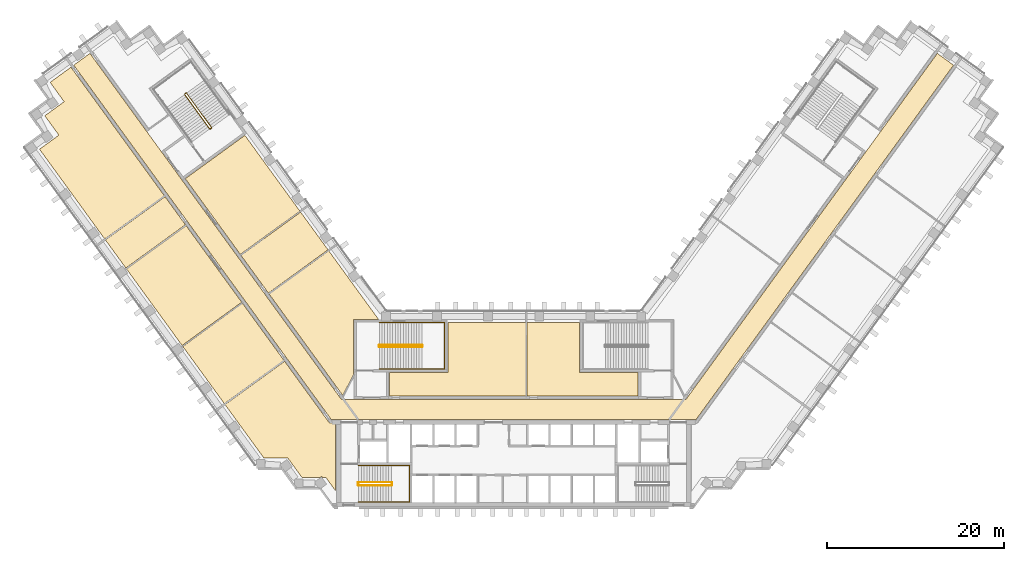
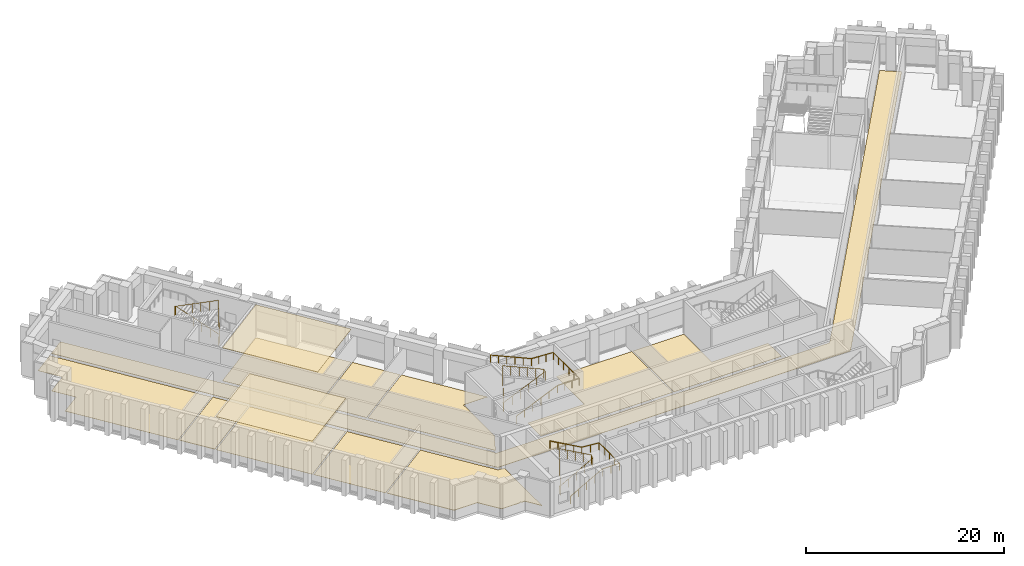
# One storey, part 13 of 15: 13 coverings, 5 railings.
"""IFC4 building model written with IfcOpenShell, lengths in metres."""

from ifc_helpers import new_model, si_unit, direction, frame, origin, origin_2d, place, context, subcontext, project, spatial, polyline, circle, outline, extrude, material, layer, layer_set, type_object, element, save


model = new_model("IFC4")

# Units and contexts
model_context = context("Model", 3, precision=1e-05, world=origin(), true_north=direction((0.0, 1.0)))
body_context = subcontext(model_context, "Body", "Model", "MODEL_VIEW")
ifc_project = project(units=[si_unit("LENGTHUNIT", "METRE"), si_unit("AREAUNIT", "SQUARE_METRE"), si_unit("VOLUMEUNIT", "CUBIC_METRE"), si_unit("PLANEANGLEUNIT", "RADIAN"), si_unit("MASSUNIT", "GRAM", prefix="KILO")], contexts=[model_context])

# Site, building, storey
site_placement = place(None, origin())
site = spatial("IfcSite", under=ifc_project, at=site_placement, CompositionType="ELEMENT")
building_placement = place(site_placement, origin())
building = spatial("IfcBuilding", under=site, at=building_placement, Name="Quipu Civic Tower", CompositionType="ELEMENT")
storey_placement = place(building_placement, frame((0.0, 0.0, 11.5)))
storey = spatial("IfcBuildingStorey", under=building, at=storey_placement, Name="L02", CompositionType="ELEMENT", Elevation=11.5)

# Coverings
ifc_material_1 = material(Name="Mineral fibre acoustic ceiling tile")
ifc_layer_1 = layer(ifc_material_1, 0.0400390625)
ifc_layer_set_1 = layer_set([ifc_layer_1], Name="Mineral fibre acoustic ceiling tile")
covering_type_1 = type_object("IfcCoveringType", Name="Acoustic ceiling tile 600 x 600", PredefinedType="CEILING", material=ifc_layer_set_1)
covering_1_placement = place(storey_placement, frame((0.0, 0.0, 4.06005859375)))
element("IfcCovering", 1, at=covering_1_placement, inside=storey, type_object=covering_type_1, Name="Acoustic ceiling tile 600 x 600", PredefinedType="CEILING", context=body_context, shape_type="SweptSolid", body=[
    extrude(outline(polyline([(-37.0380859375, 26.0380859375), (-30.31494140625, 30.922119140625), (-24.112060546875, 22.382080078125), (-30.8349609375, 17.4990234375), (-37.0380859375, 26.0380859375)])), origin(), (0.0, 0.0, 1.0), 0.0400390625),
])
covering_2_placement = place(storey_placement, frame((0.0, 0.0, 4.06005859375)))
element("IfcCovering", 2, at=covering_2_placement, inside=storey, type_object=covering_type_1, Name="Acoustic ceiling tile 600 x 600", PredefinedType="CEILING", context=body_context, shape_type="SweptSolid", body=[
    extrude(outline(polyline([(-43.660888671875, 15.843994140625), (-36.93798828125, 20.72802734375), (-30.673095703125, 12.10302734375), (-37.39599609375, 7.218994140625), (-43.660888671875, 15.843994140625)])), origin(), (0.0, 0.0, 1.0), 0.0400390625),
])
ifc_material_2 = material(Name="Carpet tile on raised access floor")
ifc_layer_2 = layer(ifc_material_2, 0.02001953125)
ifc_layer_set_2 = layer_set([ifc_layer_2], Name="Carpet tile on raised access floor")
covering_type_2 = type_object("IfcCoveringType", Name="Carpet tile floor finish 20", PredefinedType="FLOORING", material=ifc_layer_set_2)
covering_3_placement = place(storey_placement, origin())
element("IfcCovering", 3, at=covering_3_placement, inside=storey, type_object=covering_type_2, Name="Carpet tile floor finish 20", PredefinedType="FLOORING", context=body_context, shape_type="SweptSolid", body=[
    extrude(outline(polyline([(-53.47998046875, 29.35791015625), (-51.297119140625, 30.945068359375), (-52.883056640625, 33.12890625), (-50.698974609375, 34.717041015625), (-52.284912109375, 36.90087890625), (-49.930908203125, 38.611083984375), (-39.40087890625, 24.116943359375), (-46.125, 19.23291015625), (-53.47998046875, 29.35791015625)])), origin(), (0.0, 0.0, 1.0), 0.02001953125),
])
covering_4_placement = place(storey_placement, origin())
element("IfcCovering", 4, at=covering_4_placement, inside=storey, type_object=covering_type_2, Name="Carpet tile floor finish 20", PredefinedType="FLOORING", context=body_context, shape_type="SweptSolid", body=[
    extrude(outline(polyline([(-37.31298828125, 7.10595703125), (-30.590087890625, 11.989990234375), (-25.912109375, 5.550048828125), (-32.635009765625, 0.666015625), (-37.31298828125, 7.10595703125)])), origin(), (0.0, 0.0, 1.0), 0.02001953125),
])
covering_5_placement = place(storey_placement, origin())
element("IfcCovering", 5, at=covering_5_placement, inside=storey, type_object=covering_type_2, Name="Carpet tile floor finish 20", PredefinedType="FLOORING", context=body_context, shape_type="SweptSolid", body=[
    extrude(outline(polyline([(-37.0380859375, 26.0380859375), (-30.31494140625, 30.922119140625), (-24.112060546875, 22.382080078125), (-30.8349609375, 17.4990234375), (-37.0380859375, 26.0380859375)])), origin(), (0.0, 0.0, 1.0), 0.02001953125),
])
covering_6_placement = place(storey_placement, origin())
element("IfcCovering", 6, at=covering_6_placement, inside=storey, type_object=covering_type_2, Name="Carpet tile floor finish 20", PredefinedType="FLOORING", context=body_context, shape_type="SweptSolid", body=[
    extrude(outline(polyline([(-43.660888671875, 15.843994140625), (-36.93798828125, 20.72802734375), (-30.673095703125, 12.10302734375), (-37.39599609375, 7.218994140625), (-43.660888671875, 15.843994140625)])), origin(), (0.0, 0.0, 1.0), 0.02001953125),
])
covering_7_placement = place(storey_placement, origin())
element("IfcCovering", 7, at=covering_7_placement, inside=storey, type_object=covering_type_2, Name="Carpet tile floor finish 20", PredefinedType="FLOORING", context=body_context, shape_type="SweptSolid", body=[
    extrude(outline(polyline([(-14.030029296875, 1.52001953125), (-14.030029296875, 4.179931640625), (-7.429931640625, 4.180908203125), (-7.429931640625, 9.830078125), (1.368896484375, 9.830078125), (1.368896484375, 1.52001953125), (-14.030029296875, 1.52001953125)])), origin(), (0.0, 0.0, 1.0), 0.02001953125),
])
covering_8_placement = place(storey_placement, origin())
element("IfcCovering", 8, at=covering_8_placement, inside=storey, type_object=covering_type_2, Name="Carpet tile floor finish 20", PredefinedType="FLOORING", context=body_context, shape_type="SweptSolid", body=[
    extrude(outline(polyline([(-27.577880859375, 13.01708984375), (-20.85498046875, 17.90087890625), (-15.238037109375, 10.169921875), (-18.070068359375, 10.1689453125), (-18.070068359375, 3.94189453125), (-19.27197265625, 1.583984375), (-27.577880859375, 13.01708984375)])), origin(), (0.0, 0.0, 1.0), 0.02001953125),
])
covering_9_placement = place(storey_placement, origin())
element("IfcCovering", 9, at=covering_9_placement, inside=storey, type_object=covering_type_2, Name="Carpet tile floor finish 20", PredefinedType="FLOORING", context=body_context, shape_type="SweptSolid", body=[
    extrude(outline(polyline([(-30.751953125, 17.385986328125), (-24.029052734375, 22.26904296875), (-20.93798828125, 18.013916015625), (-27.660888671875, 13.1298828125), (-30.751953125, 17.385986328125)])), origin(), (0.0, 0.0, 1.0), 0.02001953125),
])
ifc_material_3 = material(Name="Ceramic floor tile")
ifc_layer_3 = layer(ifc_material_3, 0.030029296875)
ifc_layer_set_3 = layer_set([ifc_layer_3], Name="Ceramic floor tile")
covering_type_3 = type_object("IfcCoveringType", Name="Ceramic tile floor finish 30", PredefinedType="FLOORING", material=ifc_layer_set_3)
covering_10_placement = place(storey_placement, origin())
element("IfcCovering", 10, at=covering_10_placement, inside=storey, type_object=covering_type_3, Name="Ceramic tile floor finish 30", PredefinedType="FLOORING", context=body_context, shape_type="SweptSolid", body=[
    extrude(outline(polyline([(1.510009765625, 1.52001953125), (1.510009765625, 9.830078125), (7.429931640625, 9.830078125), (7.430908203125, 4.179931640625), (14.030029296875, 4.179931640625), (14.030029296875, 1.52001953125), (1.510009765625, 1.52001953125)])), origin(), (0.0, 0.0, 1.0), 0.030029296875),
])
ifc_material_4 = material(Name="Sealed cement screed")
ifc_layer_4 = layer(ifc_material_4, 0.050048828125)
ifc_layer_set_4 = layer_set([ifc_layer_4], Name="Sealed cement screed")
covering_type_4 = type_object("IfcCoveringType", Name="Sealed screed floor finish 50", PredefinedType="FLOORING", material=ifc_layer_set_4)
covering_11_placement = place(storey_placement, origin())
element("IfcCovering", 11, at=covering_11_placement, inside=storey, type_object=covering_type_4, Name="Sealed screed floor finish 50", PredefinedType="FLOORING", context=body_context, shape_type="SweptSolid", body=[
    extrude(outline(polyline([(-46.0419921875, 19.1201171875), (-39.318115234375, 24.00390625), (-37.02099609375, 20.841064453125), (-43.743896484375, 15.95703125), (-46.0419921875, 19.1201171875)])), origin(), (0.0, 0.0, 1.0), 0.050048828125),
])
covering_12_placement = place(storey_placement, origin())
element("IfcCovering", 12, at=covering_12_placement, inside=storey, type_object=covering_type_4, Name="Sealed screed floor finish 50", PredefinedType="FLOORING", context=body_context, shape_type="SweptSolid", body=[
    extrude(outline(polyline([(-32.552001953125, 0.552978515625), (-25.8291015625, 5.43701171875), (-20.77490234375, -1.51904296875), (-20.070068359375, -1.52001953125), (-20.070068359375, -9.195068359375), (-21.196044921875, -7.64599609375), (-21.597900390625, -7.64599609375), (-21.64111328125, -7.5869140625), (-21.64404296875, -7.5830078125), (-21.64697265625, -7.580078125), (-21.65087890625, -7.576904296875), (-21.655029296875, -7.573974609375), (-21.658935546875, -7.572021484375), (-21.6640625, -7.570068359375), (-21.6689453125, -7.568115234375), (-21.673095703125, -7.56689453125), (-21.677978515625, -7.56689453125), (-21.68310546875, -7.56689453125), (-21.68798828125, -7.56689453125), (-21.693115234375, -7.568115234375), (-21.697998046875, -7.569091796875), (-21.701904296875, -7.571044921875), (-21.7060546875, -7.572998046875), (-21.7109375, -7.575927734375), (-21.806884765625, -7.64599609375), (-23.89501953125, -7.64599609375), (-25.48193359375, -5.4619140625), (-28.181884765625, -5.4609375), (-32.552001953125, 0.552978515625)])), origin(), (0.0, 0.0, 1.0), 0.050048828125),
])

# Railings
ifc_material_5 = material(Name="Stainless steel", Category="steel")
railing_type_1 = type_object("IfcRailingType", Name="Stair guard 1100", PredefinedType="GUARDRAIL", material=ifc_material_5)
railing_1_placement = place(storey_placement, frame((-17.5, -8.550048828125, 0.173095703125)))
element("IfcRailing", 13, at=railing_1_placement, inside=storey, type_object=railing_type_1, Name="Stair 1 guard", PredefinedType="GUARDRAIL", context=body_context, shape_type="SweptSolid", body=[
    extrude(circle(Radius=0.02392578125, at=origin_2d()), frame((0.0, 0.0, 1.076171875), z_axis=(0.873133609054, 0.0, 0.487480974747), x_axis=(0.0, 1.0, 0.0)), (0.0, 0.0, 1.0), 4.260498046875),
    extrude(circle(Radius=0.02392578125, at=origin_2d()), frame((3.719970703125, 0.0, 3.15283203125), z_axis=(0.707106781187, 0.707106781187, 0.0), x_axis=(-0.707106781187, 0.707106781187, 0.0)), (0.0, 0.0, 1.0), 0.07080078125),
    extrude(circle(Radius=0.02392578125, at=origin_2d()), frame((3.77001953125, 0.050048828125, 3.15283203125), z_axis=(0.0, 1.0, 0.0), x_axis=(-1.0, 0.0, 0.0)), (0.0, 0.0, 1.0), 0.25),
    extrude(circle(Radius=0.02392578125, at=origin_2d()), frame((3.77001953125, 0.300048828125, 3.15283203125), z_axis=(-0.267629722418, 0.267629722418, 0.925607186314), x_axis=(-0.707106781187, -0.707106781187, 0.0)), (0.0, 0.0, 1.0), 0.18701171875),
    extrude(circle(Radius=0.02392578125, at=origin_2d()), frame((3.719970703125, 0.35009765625, 3.326171875), z_axis=(-0.873133609054, 0.0, 0.487480974747), x_axis=(0.0, -1.0, 0.0)), (0.0, 0.0, 1.0), 4.260498046875),
    extrude(circle(Radius=0.02392578125, at=origin_2d()), frame((0.0, 0.35009765625, 5.40283203125), z_axis=(-0.011096637166, -0.066525693058, -0.997723006053), x_axis=(0.986372223864, -0.164529134168, 0.0)), (0.0, 0.0, 1.0), 4.51025390625),
    extrude(circle(Radius=0.02392578125, at=origin_2d()), frame((-0.050048828125, 0.050048828125, 0.90283203125), z_axis=(0.0, 1.0, 0.0), x_axis=(-1.0, 0.0, 0.0)), (0.0, 0.0, 1.0), 0.25),
    extrude(circle(Radius=0.02099609375, at=origin_2d()), origin(), (0.0, 0.0, 1.0), 1.052001953125),
    extrude(circle(Radius=0.02099609375, at=origin_2d()), frame((0.929931640625, 0.0, 0.519287109375)), (0.0, 0.0, 1.0), 1.052001953125),
    extrude(circle(Radius=0.02099609375, at=origin_2d()), frame((1.85986328125, 0.0, 1.03857421875)), (0.0, 0.0, 1.0), 1.052001953125),
    extrude(circle(Radius=0.02099609375, at=origin_2d()), frame((2.7900390625, 0.0, 1.5576171875)), (0.0, 0.0, 1.0), 1.052001953125),
    extrude(circle(Radius=0.02099609375, at=origin_2d()), frame((3.719970703125, 0.0, 2.076904296875)), (0.0, 0.0, 1.0), 1.052001953125),
    extrude(circle(Radius=0.02099609375, at=origin_2d()), frame((3.77001953125, 0.050048828125, 2.076904296875)), (0.0, 0.0, 1.0), 1.052001953125),
    extrude(circle(Radius=0.02099609375, at=origin_2d()), frame((3.77001953125, 0.300048828125, 2.076904296875)), (0.0, 0.0, 1.0), 1.052001953125),
    extrude(circle(Radius=0.02099609375, at=origin_2d()), frame((3.719970703125, 0.35009765625, 2.25)), (0.0, 0.0, 1.0), 1.052001953125),
    extrude(circle(Radius=0.02099609375, at=origin_2d()), frame((2.7900390625, 0.35009765625, 2.769287109375)), (0.0, 0.0, 1.0), 1.052001953125),
    extrude(circle(Radius=0.02099609375, at=origin_2d()), frame((1.85986328125, 0.35009765625, 3.28857421875)), (0.0, 0.0, 1.0), 1.052001953125),
    extrude(circle(Radius=0.02099609375, at=origin_2d()), frame((0.929931640625, 0.35009765625, 3.8076171875)), (0.0, 0.0, 1.0), 1.052001953125),
    extrude(circle(Radius=0.02099609375, at=origin_2d()), frame((0.0, 0.35009765625, 4.326904296875)), (0.0, 0.0, 1.0), 1.052001953125),
    extrude(circle(Radius=0.02099609375, at=origin_2d()), frame((-0.012451171875, 0.275146484375, 3.201904296875)), (0.0, 0.0, 1.0), 1.052001953125),
    extrude(circle(Radius=0.02099609375, at=origin_2d()), frame((-0.02490234375, 0.2001953125, 2.076904296875)), (0.0, 0.0, 1.0), 1.052001953125),
    extrude(circle(Radius=0.02099609375, at=origin_2d()), frame((-0.03759765625, 0.125, 0.951904296875)), (0.0, 0.0, 1.0), 1.052001953125),
    extrude(circle(Radius=0.02099609375, at=origin_2d()), frame((-0.050048828125, 0.050048828125, -0.173095703125)), (0.0, 0.0, 1.0), 1.052001953125),
    extrude(circle(Radius=0.02099609375, at=origin_2d()), frame((-0.050048828125, 0.300048828125, -0.173095703125)), (0.0, 0.0, 1.0), 1.052001953125),
])
railing_2_placement = place(storey_placement, frame((-15.14990234375, 7.050048828125, 0.13232421875)))
element("IfcRailing", 14, at=railing_2_placement, inside=storey, type_object=railing_type_1, Name="Stair 3 guard", PredefinedType="GUARDRAIL", context=body_context, shape_type="SweptSolid", body=[
    extrude(circle(Radius=0.02392578125, at=origin_2d()), frame((0.0, 0.0, 1.076171875), z_axis=(0.914909713927, 0.0, 0.403658538077), x_axis=(0.0, 1.0, 0.0)), (0.0, 0.0, 1.0), 5.24609375),
    extrude(circle(Radius=0.02392578125, at=origin_2d()), frame((4.7998046875, 0.0, 3.19384765625), z_axis=(0.707106781187, 0.707106781187, 0.0), x_axis=(-0.707106781187, 0.707106781187, 0.0)), (0.0, 0.0, 1.0), 0.07080078125),
    extrude(circle(Radius=0.02392578125, at=origin_2d()), frame((4.849853515625, 0.050048828125, 3.19384765625), z_axis=(0.0, 1.0, 0.0), x_axis=(-1.0, 0.0, 0.0)), (0.0, 0.0, 1.0), 0.14990234375),
    extrude(circle(Radius=0.02392578125, at=origin_2d()), frame((4.849853515625, 0.199951171875, 3.19384765625), z_axis=(-0.333514590198, 0.333514590198, 0.881780038474), x_axis=(-0.707106781187, -0.707106781187, 0.0)), (0.0, 0.0, 1.0), 0.150146484375),
    extrude(circle(Radius=0.02392578125, at=origin_2d()), frame((4.7998046875, 0.25, 3.326171875), z_axis=(-0.914909713927, 0.0, 0.403658538077), x_axis=(0.0, -1.0, 0.0)), (0.0, 0.0, 1.0), 5.24609375),
    extrude(circle(Radius=0.02392578125, at=origin_2d()), frame((0.0, 0.25, 5.44384765625), z_axis=(-0.011110312959, -0.044387055188, -0.998952626643), x_axis=(0.970072785993, -0.242814311512, 0.0)), (0.0, 0.0, 1.0), 4.504638671875),
    extrude(circle(Radius=0.02392578125, at=origin_2d()), frame((-0.050048828125, 0.050048828125, 0.94384765625), z_axis=(0.0, 1.0, 0.0), x_axis=(-1.0, 0.0, 0.0)), (0.0, 0.0, 1.0), 0.14990234375),
    extrude(circle(Radius=0.02099609375, at=origin_2d()), origin(), (0.0, 0.0, 1.0), 1.052001953125),
    extrude(circle(Radius=0.02099609375, at=origin_2d()), frame((0.9599609375, 0.0, 0.423583984375)), (0.0, 0.0, 1.0), 1.052001953125),
    extrude(circle(Radius=0.02099609375, at=origin_2d()), frame((1.919921875, 0.0, 0.84716796875)), (0.0, 0.0, 1.0), 1.052001953125),
    extrude(circle(Radius=0.02099609375, at=origin_2d()), frame((2.8798828125, 0.0, 1.2705078125)), (0.0, 0.0, 1.0), 1.052001953125),
    extrude(circle(Radius=0.02099609375, at=origin_2d()), frame((3.83984375, 0.0, 1.694091796875)), (0.0, 0.0, 1.0), 1.052001953125),
    extrude(circle(Radius=0.02099609375, at=origin_2d()), frame((4.7998046875, 0.0, 2.11767578125)), (0.0, 0.0, 1.0), 1.052001953125),
    extrude(circle(Radius=0.02099609375, at=origin_2d()), frame((4.849853515625, 0.050048828125, 2.11767578125)), (0.0, 0.0, 1.0), 1.052001953125),
    extrude(circle(Radius=0.02099609375, at=origin_2d()), frame((4.849853515625, 0.199951171875, 2.11767578125)), (0.0, 0.0, 1.0), 1.052001953125),
    extrude(circle(Radius=0.02099609375, at=origin_2d()), frame((4.7998046875, 0.25, 2.25)), (0.0, 0.0, 1.0), 1.052001953125),
    extrude(circle(Radius=0.02099609375, at=origin_2d()), frame((3.83984375, 0.25, 2.673583984375)), (0.0, 0.0, 1.0), 1.052001953125),
    extrude(circle(Radius=0.02099609375, at=origin_2d()), frame((2.8798828125, 0.25, 3.09716796875)), (0.0, 0.0, 1.0), 1.052001953125),
    extrude(circle(Radius=0.02099609375, at=origin_2d()), frame((1.919921875, 0.25, 3.5205078125)), (0.0, 0.0, 1.0), 1.052001953125),
    extrude(circle(Radius=0.02099609375, at=origin_2d()), frame((0.9599609375, 0.25, 3.944091796875)), (0.0, 0.0, 1.0), 1.052001953125),
    extrude(circle(Radius=0.02099609375, at=origin_2d()), frame((0.0, 0.25, 4.36767578125)), (0.0, 0.0, 1.0), 1.052001953125),
    extrude(circle(Radius=0.02099609375, at=origin_2d()), frame((-0.012451171875, 0.199951171875, 3.24267578125)), (0.0, 0.0, 1.0), 1.052001953125),
    extrude(circle(Radius=0.02099609375, at=origin_2d()), frame((-0.02490234375, 0.14990234375, 2.11767578125)), (0.0, 0.0, 1.0), 1.052001953125),
    extrude(circle(Radius=0.02099609375, at=origin_2d()), frame((-0.03759765625, 0.10009765625, 0.99267578125)), (0.0, 0.0, 1.0), 1.052001953125),
    extrude(circle(Radius=0.02099609375, at=origin_2d()), frame((-0.050048828125, 0.050048828125, -0.13232421875)), (0.0, 0.0, 1.0), 1.052001953125),
    extrude(circle(Radius=0.02099609375, at=origin_2d()), frame((-0.050048828125, 0.199951171875, -0.13232421875)), (0.0, 0.0, 1.0), 1.052001953125),
])
railing_3_placement = place(storey_placement, frame((-34.078857421875, 31.79736328125, 0.13232421875)))
element("IfcRailing", 15, at=railing_3_placement, inside=storey, type_object=railing_type_1, Name="Stair 6 guard", PredefinedType="GUARDRAIL", context=body_context, shape_type="SweptSolid", body=[
    extrude(circle(Radius=0.02392578125, at=origin_2d()), frame((0.0, 0.0, 1.076171875), z_axis=(-0.537761686143, 0.740190150552, 0.403647011561), x_axis=(-0.809026317077, -0.587772420479, 0.0)), (0.0, 0.0, 1.0), 5.246337890625),
    extrude(circle(Radius=0.02392578125, at=origin_2d()), frame((-2.8212890625, 3.88330078125, 3.19384765625), z_axis=(-0.987846838465, 0.155430446612, 0.0), x_axis=(-0.155430446612, -0.987846838465, 0.0)), (0.0, 0.0, 1.0), 0.07080078125),
    extrude(circle(Radius=0.02392578125, at=origin_2d()), frame((-2.89111328125, 3.894287109375, 3.19384765625), z_axis=(-0.809649071907, -0.586914287065, 0.0), x_axis=(0.586914287065, -0.809649071907, 0.0)), (0.0, 0.0, 1.0), 0.150146484375),
    extrude(circle(Radius=0.02392578125, at=origin_2d()), frame((-3.0126953125, 3.80615234375, 3.19384765625), z_axis=(-0.07323271701, -0.465434601444, 0.882047391549), x_axis=(0.987846838465, -0.155430446612, 0.0)), (0.0, 0.0, 1.0), 0.14990234375),
    extrude(circle(Radius=0.02392578125, at=origin_2d()), frame((-3.023681640625, 3.736328125, 3.326171875), z_axis=(0.537761686143, -0.740190150552, 0.403647011561), x_axis=(0.809026317077, 0.587772420479, 0.0)), (0.0, 0.0, 1.0), 5.246337890625),
    extrude(circle(Radius=0.02392578125, at=origin_2d()), frame((-0.202392578125, -0.14697265625, 5.44384765625), z_axis=(0.042490064781, 0.017126097539, -0.998950094438), x_axis=(-0.373837031195, 0.92749440651, 0.0)), (0.0, 0.0, 1.0), 4.504638671875),
    extrude(circle(Radius=0.02392578125, at=origin_2d()), frame((-0.010986328125, -0.06982421875, 0.94384765625), z_axis=(-0.809087927272, -0.587687609145, 0.0), x_axis=(0.587687609145, -0.809087927272, 0.0)), (0.0, 0.0, 1.0), 0.14990234375),
    extrude(circle(Radius=0.02099609375, at=origin_2d()), origin(), (0.0, 0.0, 1.0), 1.052001953125),
    extrude(circle(Radius=0.02099609375, at=origin_2d()), frame((-0.564208984375, 0.776611328125, 0.423583984375)), (0.0, 0.0, 1.0), 1.052001953125),
    extrude(circle(Radius=0.02099609375, at=origin_2d()), frame((-1.12841796875, 1.55322265625, 0.84716796875)), (0.0, 0.0, 1.0), 1.052001953125),
    extrude(circle(Radius=0.02099609375, at=origin_2d()), frame((-1.69287109375, 2.330078125, 1.2705078125)), (0.0, 0.0, 1.0), 1.052001953125),
    extrude(circle(Radius=0.02099609375, at=origin_2d()), frame((-2.257080078125, 3.106689453125, 1.694091796875)), (0.0, 0.0, 1.0), 1.052001953125),
    extrude(circle(Radius=0.02099609375, at=origin_2d()), frame((-2.8212890625, 3.88330078125, 2.11767578125)), (0.0, 0.0, 1.0), 1.052001953125),
    extrude(circle(Radius=0.02099609375, at=origin_2d()), frame((-2.89111328125, 3.894287109375, 2.11767578125)), (0.0, 0.0, 1.0), 1.052001953125),
    extrude(circle(Radius=0.02099609375, at=origin_2d()), frame((-3.0126953125, 3.80615234375, 2.11767578125)), (0.0, 0.0, 1.0), 1.052001953125),
    extrude(circle(Radius=0.02099609375, at=origin_2d()), frame((-3.023681640625, 3.736328125, 2.25)), (0.0, 0.0, 1.0), 1.052001953125),
    extrude(circle(Radius=0.02099609375, at=origin_2d()), frame((-2.45947265625, 2.959716796875, 2.673583984375)), (0.0, 0.0, 1.0), 1.052001953125),
    extrude(circle(Radius=0.02099609375, at=origin_2d()), frame((-1.895263671875, 2.18310546875, 3.09716796875)), (0.0, 0.0, 1.0), 1.052001953125),
    extrude(circle(Radius=0.02099609375, at=origin_2d()), frame((-1.330810546875, 1.40625, 3.5205078125)), (0.0, 0.0, 1.0), 1.052001953125),
    extrude(circle(Radius=0.02099609375, at=origin_2d()), frame((-0.7666015625, 0.629638671875, 3.944091796875)), (0.0, 0.0, 1.0), 1.052001953125),
    extrude(circle(Radius=0.02099609375, at=origin_2d()), frame((-0.202392578125, -0.14697265625, 4.36767578125)), (0.0, 0.0, 1.0), 1.052001953125),
    extrude(circle(Radius=0.02099609375, at=origin_2d()), frame((-0.154541015625, -0.127685546875, 3.24267578125)), (0.0, 0.0, 1.0), 1.052001953125),
    extrude(circle(Radius=0.02099609375, at=origin_2d()), frame((-0.106689453125, -0.1083984375, 2.11767578125)), (0.0, 0.0, 1.0), 1.052001953125),
    extrude(circle(Radius=0.02099609375, at=origin_2d()), frame((-0.058837890625, -0.089111328125, 0.99267578125)), (0.0, 0.0, 1.0), 1.052001953125),
    extrude(circle(Radius=0.02099609375, at=origin_2d()), frame((-0.010986328125, -0.06982421875, -0.13232421875)), (0.0, 0.0, 1.0), 1.052001953125),
    extrude(circle(Radius=0.02099609375, at=origin_2d()), frame((-0.13232421875, -0.157958984375, -0.13232421875)), (0.0, 0.0, 1.0), 1.052001953125),
])
ifc_material_6 = material(Name="Stainless steel", Category="steel")
railing_type_2 = type_object("IfcRailingType", Name="Stair handrail", PredefinedType="HANDRAIL", material=ifc_material_6)
railing_4_placement = place(storey_placement, frame((-17.5, -10.449951171875, 0.173095703125)))
element("IfcRailing", 16, at=railing_4_placement, inside=storey, type_object=railing_type_2, Name="Stair 1 handrail", PredefinedType="HANDRAIL", context=body_context, shape_type="SweptSolid", body=[
    extrude(circle(Radius=0.02392578125, at=origin_2d()), frame((0.0, 0.0, 0.8759765625), z_axis=(0.873133609054, 0.0, 0.487480974747), x_axis=(0.0, 1.0, 0.0)), (0.0, 0.0, 1.0), 4.260498046875),
    extrude(circle(Radius=0.02392578125, at=origin_2d()), frame((3.719970703125, 0.0, 2.95263671875), z_axis=(1.0, 0.0, 0.0), x_axis=(0.0, 1.0, 0.0)), (0.0, 0.0, 1.0), 2.030029296875),
    extrude(circle(Radius=0.02392578125, at=origin_2d()), frame((5.75, 0.0, 2.95263671875), z_axis=(0.0, 1.0, 0.0), x_axis=(-1.0, 0.0, 0.0)), (0.0, 0.0, 1.0), 4.14990234375),
    extrude(circle(Radius=0.02392578125, at=origin_2d()), frame((5.75, 4.14990234375, 2.95263671875), z_axis=(-0.996384422715, 0.0, 0.084959297138), x_axis=(0.0, -1.0, 0.0)), (0.0, 0.0, 1.0), 2.037353515625),
    extrude(circle(Radius=0.02392578125, at=origin_2d()), frame((3.719970703125, 4.14990234375, 3.1259765625), z_axis=(-0.873133609054, 0.0, 0.487480974747), x_axis=(0.0, -1.0, 0.0)), (0.0, 0.0, 1.0), 4.260498046875),
    extrude(circle(Radius=0.02099609375, at=origin_2d()), origin(), (0.0, 0.0, 1.0), 0.851806640625),
    extrude(circle(Radius=0.02099609375, at=origin_2d()), frame((0.929931640625, 0.0, 0.519287109375)), (0.0, 0.0, 1.0), 0.851806640625),
    extrude(circle(Radius=0.02099609375, at=origin_2d()), frame((1.85986328125, 0.0, 1.03857421875)), (0.0, 0.0, 1.0), 0.851806640625),
    extrude(circle(Radius=0.02099609375, at=origin_2d()), frame((2.7900390625, 0.0, 1.5576171875)), (0.0, 0.0, 1.0), 0.851806640625),
    extrude(circle(Radius=0.02099609375, at=origin_2d()), frame((3.719970703125, 0.0, 2.076904296875)), (0.0, 0.0, 1.0), 0.851806640625),
    extrude(circle(Radius=0.02099609375, at=origin_2d()), frame((4.73486328125, 0.0, 2.076904296875)), (0.0, 0.0, 1.0), 0.851806640625),
    extrude(circle(Radius=0.02099609375, at=origin_2d()), frame((5.75, 0.0, 2.076904296875)), (0.0, 0.0, 1.0), 0.851806640625),
    extrude(circle(Radius=0.02099609375, at=origin_2d()), frame((5.75, 1.03759765625, 2.076904296875)), (0.0, 0.0, 1.0), 0.851806640625),
    extrude(circle(Radius=0.02099609375, at=origin_2d()), frame((5.75, 2.074951171875, 2.076904296875)), (0.0, 0.0, 1.0), 0.851806640625),
    extrude(circle(Radius=0.02099609375, at=origin_2d()), frame((5.75, 3.1123046875, 2.076904296875)), (0.0, 0.0, 1.0), 0.851806640625),
    extrude(circle(Radius=0.02099609375, at=origin_2d()), frame((5.75, 4.14990234375, 2.076904296875)), (0.0, 0.0, 1.0), 0.851806640625),
    extrude(circle(Radius=0.02099609375, at=origin_2d()), frame((4.73486328125, 4.14990234375, 2.16357421875)), (0.0, 0.0, 1.0), 0.851806640625),
    extrude(circle(Radius=0.02099609375, at=origin_2d()), frame((3.719970703125, 4.14990234375, 2.25)), (0.0, 0.0, 1.0), 0.851806640625),
    extrude(circle(Radius=0.02099609375, at=origin_2d()), frame((2.7900390625, 4.14990234375, 2.769287109375)), (0.0, 0.0, 1.0), 0.851806640625),
    extrude(circle(Radius=0.02099609375, at=origin_2d()), frame((1.85986328125, 4.14990234375, 3.28857421875)), (0.0, 0.0, 1.0), 0.851806640625),
    extrude(circle(Radius=0.02099609375, at=origin_2d()), frame((0.929931640625, 4.14990234375, 3.8076171875)), (0.0, 0.0, 1.0), 0.851806640625),
    extrude(circle(Radius=0.02099609375, at=origin_2d()), frame((0.0, 4.14990234375, 4.326904296875)), (0.0, 0.0, 1.0), 0.851806640625),
])
railing_5_placement = place(storey_placement, frame((-15.14990234375, 4.550048828125, 0.13232421875)))
element("IfcRailing", 17, at=railing_5_placement, inside=storey, type_object=railing_type_2, Name="Stair 3 handrail", PredefinedType="HANDRAIL", context=body_context, shape_type="SweptSolid", body=[
    extrude(circle(Radius=0.02392578125, at=origin_2d()), frame((0.0, 0.0, 0.8759765625), z_axis=(0.914909713927, 0.0, 0.403658538077), x_axis=(0.0, 1.0, 0.0)), (0.0, 0.0, 1.0), 5.24609375),
    extrude(circle(Radius=0.02392578125, at=origin_2d()), frame((4.7998046875, 0.0, 2.99365234375), z_axis=(1.0, 0.0, 0.0), x_axis=(0.0, 1.0, 0.0)), (0.0, 0.0, 1.0), 2.550048828125),
    extrude(circle(Radius=0.02392578125, at=origin_2d()), frame((7.349853515625, 0.0, 2.99365234375), z_axis=(0.0, 1.0, 0.0), x_axis=(-1.0, 0.0, 0.0)), (0.0, 0.0, 1.0), 5.25),
    extrude(circle(Radius=0.02392578125, at=origin_2d()), frame((7.349853515625, 5.25, 2.99365234375), z_axis=(-0.998656382309, 0.0, 0.051821135396), x_axis=(0.0, -1.0, 0.0)), (0.0, 0.0, 1.0), 2.553466796875),
    extrude(circle(Radius=0.02392578125, at=origin_2d()), frame((4.7998046875, 5.25, 3.1259765625), z_axis=(-0.914909713927, 0.0, 0.403658538077), x_axis=(0.0, -1.0, 0.0)), (0.0, 0.0, 1.0), 5.24609375),
    extrude(circle(Radius=0.02099609375, at=origin_2d()), origin(), (0.0, 0.0, 1.0), 0.851806640625),
    extrude(circle(Radius=0.02099609375, at=origin_2d()), frame((0.9599609375, 0.0, 0.423583984375)), (0.0, 0.0, 1.0), 0.851806640625),
    extrude(circle(Radius=0.02099609375, at=origin_2d()), frame((1.919921875, 0.0, 0.84716796875)), (0.0, 0.0, 1.0), 0.851806640625),
    extrude(circle(Radius=0.02099609375, at=origin_2d()), frame((2.8798828125, 0.0, 1.2705078125)), (0.0, 0.0, 1.0), 0.851806640625),
    extrude(circle(Radius=0.02099609375, at=origin_2d()), frame((3.83984375, 0.0, 1.694091796875)), (0.0, 0.0, 1.0), 0.851806640625),
    extrude(circle(Radius=0.02099609375, at=origin_2d()), frame((4.7998046875, 0.0, 2.11767578125)), (0.0, 0.0, 1.0), 0.851806640625),
    extrude(circle(Radius=0.02099609375, at=origin_2d()), frame((5.64990234375, 0.0, 2.11767578125)), (0.0, 0.0, 1.0), 0.851806640625),
    extrude(circle(Radius=0.02099609375, at=origin_2d()), frame((6.499755859375, 0.0, 2.11767578125)), (0.0, 0.0, 1.0), 0.851806640625),
    extrude(circle(Radius=0.02099609375, at=origin_2d()), frame((7.349853515625, 0.0, 2.11767578125)), (0.0, 0.0, 1.0), 0.851806640625),
    extrude(circle(Radius=0.02099609375, at=origin_2d()), frame((7.349853515625, 1.050048828125, 2.11767578125)), (0.0, 0.0, 1.0), 0.851806640625),
    extrude(circle(Radius=0.02099609375, at=origin_2d()), frame((7.349853515625, 2.10009765625, 2.11767578125)), (0.0, 0.0, 1.0), 0.851806640625),
    extrude(circle(Radius=0.02099609375, at=origin_2d()), frame((7.349853515625, 3.14990234375, 2.11767578125)), (0.0, 0.0, 1.0), 0.851806640625),
    extrude(circle(Radius=0.02099609375, at=origin_2d()), frame((7.349853515625, 4.199951171875, 2.11767578125)), (0.0, 0.0, 1.0), 0.851806640625),
    extrude(circle(Radius=0.02099609375, at=origin_2d()), frame((7.349853515625, 5.25, 2.11767578125)), (0.0, 0.0, 1.0), 0.851806640625),
    extrude(circle(Radius=0.02099609375, at=origin_2d()), frame((6.499755859375, 5.25, 2.161865234375)), (0.0, 0.0, 1.0), 0.851806640625),
    extrude(circle(Radius=0.02099609375, at=origin_2d()), frame((5.64990234375, 5.25, 2.205810546875)), (0.0, 0.0, 1.0), 0.851806640625),
    extrude(circle(Radius=0.02099609375, at=origin_2d()), frame((4.7998046875, 5.25, 2.25)), (0.0, 0.0, 1.0), 0.851806640625),
    extrude(circle(Radius=0.02099609375, at=origin_2d()), frame((3.83984375, 5.25, 2.673583984375)), (0.0, 0.0, 1.0), 0.851806640625),
    extrude(circle(Radius=0.02099609375, at=origin_2d()), frame((2.8798828125, 5.25, 3.09716796875)), (0.0, 0.0, 1.0), 0.851806640625),
    extrude(circle(Radius=0.02099609375, at=origin_2d()), frame((1.919921875, 5.25, 3.5205078125)), (0.0, 0.0, 1.0), 0.851806640625),
    extrude(circle(Radius=0.02099609375, at=origin_2d()), frame((0.9599609375, 5.25, 3.944091796875)), (0.0, 0.0, 1.0), 0.851806640625),
    extrude(circle(Radius=0.02099609375, at=origin_2d()), frame((0.0, 5.25, 4.36767578125)), (0.0, 0.0, 1.0), 0.851806640625),
])

# Covering
ifc_material_7 = material(Name="Terrazzo floor finish")
ifc_layer_5 = layer(ifc_material_7, 0.0400390625)
ifc_layer_set_5 = layer_set([ifc_layer_5], Name="Terrazzo floor finish")
covering_type_5 = type_object("IfcCoveringType", Name="Terrazzo floor finish 40", PredefinedType="FLOORING", material=ifc_layer_set_5)
covering_13_placement = place(storey_placement, origin())
element("IfcCovering", 18, at=covering_13_placement, inside=storey, type_object=covering_type_5, Name="Terrazzo floor finish 40", PredefinedType="FLOORING", context=body_context, shape_type="SweptSolid", body=[
    extrude(outline(polyline([(47.787109375, 40.16796875), (49.615966796875, 38.840087890625), (20.574951171875, -1.1298828125), (-20.574951171875, -1.1298828125), (-49.615966796875, 38.840087890625), (-47.787109375, 40.16796875), (-19.425048828125, 1.1298828125), (19.425048828125, 1.1298828125), (47.787109375, 40.16796875)])), origin(), (0.0, 0.0, 1.0), 0.0400390625),
])

save(model, "model.ifc")
